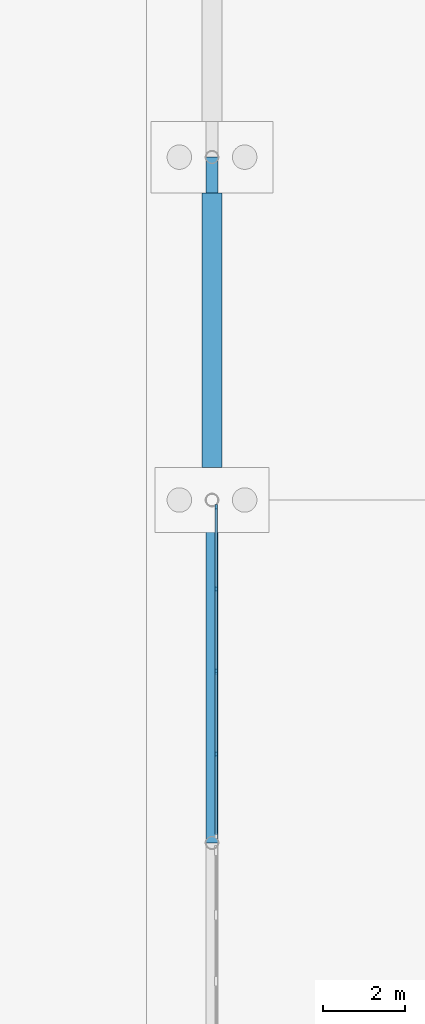
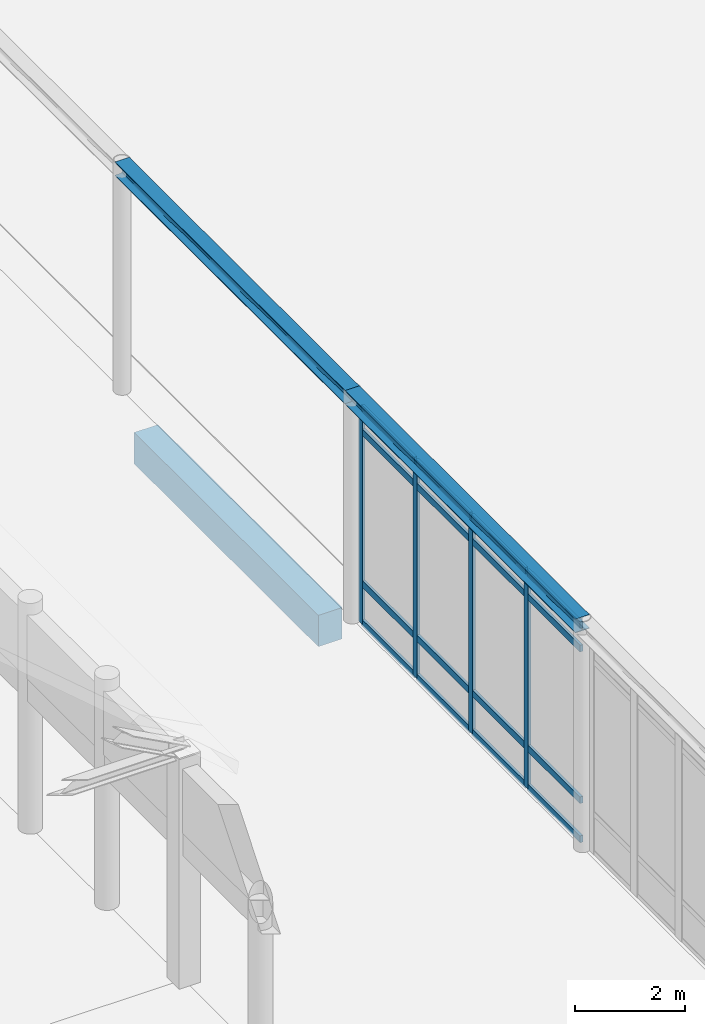
# One storey, part 32 of 143: 20 members, 3 beams, 1 element without a shape of its own.
"""IFC4 building model written with IfcOpenShell, lengths in metres."""

from ifc_helpers import new_model, si_unit, direction, frame, origin, origin_2d, place, context, subcontext, project, spatial, rectangle, i_section, extrude, material, layer, layer_set, material_profile, profile_set, type_object, element, aggregate, save


model = new_model("IFC4")

# Units and contexts
model_context = context("Model", 3, precision=1e-05, world=origin(), true_north=direction((0.0, 1.0)))
body_context = subcontext(model_context, "Body", "Model", "MODEL_VIEW")
ifc_project = project(units=[si_unit("LENGTHUNIT", "METRE"), si_unit("AREAUNIT", "SQUARE_METRE"), si_unit("VOLUMEUNIT", "CUBIC_METRE"), si_unit("PLANEANGLEUNIT", "RADIAN"), si_unit("MASSUNIT", "GRAM", prefix="KILO")], contexts=[model_context])

# Site, building, storey
site_placement = place(None, origin())
site = spatial("IfcSite", under=ifc_project, at=site_placement, CompositionType="ELEMENT")
building_placement = place(site_placement, origin())
building = spatial("IfcBuilding", under=site, at=building_placement, Name="Kveldsbrygga Polytechnic", CompositionType="ELEMENT")
storey_placement = place(building_placement, origin())
storey = spatial("IfcBuildingStorey", under=building, at=storey_placement, Name="L00", CompositionType="ELEMENT", Elevation=0.0)

# Beams
ifc_material_1 = material(Name="Steel S355", Category="steel")
ifc_material_profile_1 = material_profile(ifc_material_1, i_section(OverallWidth=0.300048828125, OverallDepth=0.31005859375, WebThickness=0.009033203125, FlangeThickness=0.015380859375, FilletRadius=0.027099609375, at=origin_2d()), Name="HEA 320")
ifc_profile_set_1 = profile_set([ifc_material_profile_1], Name="Steel S355")
beam_type_1 = type_object("IfcBeamType", Name="BM-STL-HEA320", PredefinedType="BEAM", material=ifc_profile_set_1)
beam_1_placement = place(storey_placement, frame((50.39990234375, 42.0, 4.985107421875), z_axis=(0.0, 1.0, 0.0), x_axis=(-1.0, 0.0, 0.0)))
element("IfcBeam", 1, at=beam_1_placement, inside=storey, type_object=beam_type_1, Name="Primary Beam BMY-L00-06-05to06", PredefinedType="BEAM", context=body_context, shape_type="SweptSolid", body=[
    extrude(i_section(OverallWidth=0.300048828125, OverallDepth=0.31005859375, WebThickness=0.009033203125, FlangeThickness=0.015380859375, FilletRadius=0.027099609375, at=origin_2d()), origin(), (0.0, 0.0, 1.0), 8.39990234375),
])
beam_2_placement = place(storey_placement, frame((50.39990234375, 50.39990234375, 4.985107421875), z_axis=(0.0, 1.0, 0.0), x_axis=(-1.0, 0.0, 0.0)))
element("IfcBeam", 2, at=beam_2_placement, inside=storey, type_object=beam_type_1, Name="Primary Beam BMY-L00-06-06to07", PredefinedType="BEAM", context=body_context, shape_type="SweptSolid", body=[
    extrude(i_section(OverallWidth=0.300048828125, OverallDepth=0.31005859375, WebThickness=0.009033203125, FlangeThickness=0.015380859375, FilletRadius=0.027099609375, at=origin_2d()), origin(), (0.0, 0.0, 1.0), 8.400146484375),
])
ifc_material_2 = material(Name="Concrete C35/45", Category="concrete")
ifc_material_profile_2 = material_profile(ifc_material_2, rectangle(XDim=0.5, YDim=0.699951171875, at=origin_2d()), Name="RC 500x700")
ifc_profile_set_2 = profile_set([ifc_material_profile_2], Name="Concrete C35/45")
beam_type_2 = type_object("IfcBeamType", Name="BM-TIE-500x700", PredefinedType="BEAM", material=ifc_profile_set_2)
beam_3_placement = place(storey_placement, frame((50.39990234375, 51.201904296875, -0.669921875), z_axis=(0.0, 1.0, 0.0), x_axis=(-1.0, 0.0, 0.0)))
element("IfcBeam", 3, at=beam_3_placement, inside=storey, type_object=beam_type_2, Name="Ground Tie Beam GB-L00-Y-06-06", PredefinedType="BEAM", context=body_context, shape_type="SweptSolid", body=[
    extrude(rectangle(XDim=0.5, YDim=0.699951171875, at=origin_2d()), origin(), (0.0, 0.0, 1.0), 6.72119140625),
])

# Curtain wall, members
ifc_material_3 = material(Name="Anodised aluminium AW-6060", Category="aluminium")
ifc_layer = layer(ifc_material_3, 0.199951171875)
ifc_layer_set = layer_set([ifc_layer], Name="Anodised aluminium AW-6060")
curtain_wall_type = type_object("IfcCurtainWallType", Name="CW-LANC-E", PredefinedType="USERDEFINED", material=ifc_layer_set)
curtain_wall_placement = place(storey_placement, origin())
curtain_wall = element("IfcCurtainWall", 4, at=curtain_wall_placement, inside=storey, type_object=curtain_wall_type, Name="Curtain Wall CW-L00-Y-06-05", ObjectType="UNITISED CURTAIN WALL", PredefinedType="USERDEFINED")
ifc_material_profile_3 = material_profile(ifc_material_3, rectangle(XDim=0.06005859375, YDim=0.139892578125, at=origin_2d()), Name="ALU 60x140")
ifc_profile_set_3 = profile_set([ifc_material_profile_3], Name="Anodised aluminium AW-6060")
member_type_1 = type_object("IfcMemberType", Name="CW-MUL-140", PredefinedType="MULLION", material=ifc_profile_set_3)
member_1_placement = place(storey_placement, frame((50.5, 44.173583984375, 0.0), z_axis=(0.0, 0.0, 1.0), x_axis=(-1.0, 0.0, 0.0)))
member_1 = element("IfcMember", 5, at=member_1_placement, type_object=member_type_1, Name="CW-05 mullion 2", PredefinedType="MULLION", context=body_context, shape_type="SweptSolid", body=[
    extrude(rectangle(XDim=0.06005859375, YDim=0.139892578125, at=origin_2d()), origin(), (0.0, 0.0, 1.0), 4.830078125),
])
member_2_placement = place(storey_placement, frame((50.5, 46.199951171875, 0.0), z_axis=(0.0, 0.0, 1.0), x_axis=(-1.0, 0.0, 0.0)))
member_2 = element("IfcMember", 6, at=member_2_placement, type_object=member_type_1, Name="CW-05 mullion 3", PredefinedType="MULLION", context=body_context, shape_type="SweptSolid", body=[
    extrude(rectangle(XDim=0.06005859375, YDim=0.139892578125, at=origin_2d()), origin(), (0.0, 0.0, 1.0), 4.830078125),
])
member_3_placement = place(storey_placement, frame((50.5, 48.2265625, 0.0), z_axis=(0.0, 0.0, 1.0), x_axis=(-1.0, 0.0, 0.0)))
member_3 = element("IfcMember", 7, at=member_3_placement, type_object=member_type_1, Name="CW-05 mullion 4", PredefinedType="MULLION", context=body_context, shape_type="SweptSolid", body=[
    extrude(rectangle(XDim=0.06005859375, YDim=0.139892578125, at=origin_2d()), origin(), (0.0, 0.0, 1.0), 4.830078125),
])
member_4_placement = place(storey_placement, frame((50.5, 50.22314453125, 0.0), z_axis=(0.0, 0.0, 1.0), x_axis=(-1.0, 0.0, 0.0)))
member_4 = element("IfcMember", 8, at=member_4_placement, type_object=member_type_1, Name="CW-05 mullion 5", PredefinedType="MULLION", context=body_context, shape_type="SweptSolid", body=[
    extrude(rectangle(XDim=0.06005859375, YDim=0.139892578125, at=origin_2d()), origin(), (0.0, 0.0, 1.0), 4.830078125),
])
ifc_material_profile_4 = material_profile(ifc_material_3, rectangle(XDim=0.06005859375, YDim=0.14990234375, at=origin_2d()), Name="ALU 60x150")
ifc_profile_set_4 = profile_set([ifc_material_profile_4], Name="Anodised aluminium AW-6060")
member_type_2 = type_object("IfcMemberType", Name="CW-TRN-150", PredefinedType="USERDEFINED", material=ifc_profile_set_4)
member_5_placement = place(storey_placement, frame((50.5, 42.20703125, 0.030029296875), z_axis=(0.0, 1.0, 0.0), x_axis=(-1.0, 0.0, 0.0)))
member_5 = element("IfcMember", 9, at=member_5_placement, type_object=member_type_2, Name="CW-05 transom 1.1", ObjectType="TRANSOM", PredefinedType="USERDEFINED", context=body_context, shape_type="SweptSolid", body=[
    extrude(rectangle(XDim=0.06005859375, YDim=0.14990234375, at=origin_2d()), origin(), (0.0, 0.0, 1.0), 1.9365234375),
])
member_6_placement = place(storey_placement, frame((50.5, 42.20703125, 0.89990234375), z_axis=(0.0, 1.0, 0.0), x_axis=(-1.0, 0.0, 0.0)))
member_6 = element("IfcMember", 10, at=member_6_placement, type_object=member_type_2, Name="CW-05 transom 1.2", ObjectType="TRANSOM", PredefinedType="USERDEFINED", context=body_context, shape_type="SweptSolid", body=[
    extrude(rectangle(XDim=0.06005859375, YDim=0.14990234375, at=origin_2d()), origin(), (0.0, 0.0, 1.0), 1.9365234375),
])
member_7_placement = place(storey_placement, frame((50.5, 42.20703125, 4.280029296875), z_axis=(0.0, 1.0, 0.0), x_axis=(-1.0, 0.0, 0.0)))
member_7 = element("IfcMember", 11, at=member_7_placement, type_object=member_type_2, Name="CW-05 transom 1.3", ObjectType="TRANSOM", PredefinedType="USERDEFINED", context=body_context, shape_type="SweptSolid", body=[
    extrude(rectangle(XDim=0.06005859375, YDim=0.14990234375, at=origin_2d()), origin(), (0.0, 0.0, 1.0), 1.9365234375),
])
member_8_placement = place(storey_placement, frame((50.5, 42.20703125, 4.800048828125), z_axis=(0.0, 1.0, 0.0), x_axis=(-1.0, 0.0, 0.0)))
member_8 = element("IfcMember", 12, at=member_8_placement, type_object=member_type_2, Name="CW-05 transom 1.4", ObjectType="TRANSOM", PredefinedType="USERDEFINED", context=body_context, shape_type="SweptSolid", body=[
    extrude(rectangle(XDim=0.06005859375, YDim=0.14990234375, at=origin_2d()), origin(), (0.0, 0.0, 1.0), 1.9365234375),
])
member_9_placement = place(storey_placement, frame((50.5, 44.203369140625, 0.030029296875), z_axis=(0.0, 1.0, 0.0), x_axis=(-1.0, 0.0, 0.0)))
member_9 = element("IfcMember", 13, at=member_9_placement, type_object=member_type_2, Name="CW-05 transom 2.1", ObjectType="TRANSOM", PredefinedType="USERDEFINED", context=body_context, shape_type="SweptSolid", body=[
    extrude(rectangle(XDim=0.06005859375, YDim=0.14990234375, at=origin_2d()), origin(), (0.0, 0.0, 1.0), 1.966552734375),
])
member_10_placement = place(storey_placement, frame((50.5, 44.203369140625, 0.89990234375), z_axis=(0.0, 1.0, 0.0), x_axis=(-1.0, 0.0, 0.0)))
member_10 = element("IfcMember", 14, at=member_10_placement, type_object=member_type_2, Name="CW-05 transom 2.2", ObjectType="TRANSOM", PredefinedType="USERDEFINED", context=body_context, shape_type="SweptSolid", body=[
    extrude(rectangle(XDim=0.06005859375, YDim=0.14990234375, at=origin_2d()), origin(), (0.0, 0.0, 1.0), 1.966552734375),
])
member_11_placement = place(storey_placement, frame((50.5, 44.203369140625, 4.280029296875), z_axis=(0.0, 1.0, 0.0), x_axis=(-1.0, 0.0, 0.0)))
member_11 = element("IfcMember", 15, at=member_11_placement, type_object=member_type_2, Name="CW-05 transom 2.3", ObjectType="TRANSOM", PredefinedType="USERDEFINED", context=body_context, shape_type="SweptSolid", body=[
    extrude(rectangle(XDim=0.06005859375, YDim=0.14990234375, at=origin_2d()), origin(), (0.0, 0.0, 1.0), 1.966552734375),
])
member_12_placement = place(storey_placement, frame((50.5, 44.203369140625, 4.800048828125), z_axis=(0.0, 1.0, 0.0), x_axis=(-1.0, 0.0, 0.0)))
member_12 = element("IfcMember", 16, at=member_12_placement, type_object=member_type_2, Name="CW-05 transom 2.4", ObjectType="TRANSOM", PredefinedType="USERDEFINED", context=body_context, shape_type="SweptSolid", body=[
    extrude(rectangle(XDim=0.06005859375, YDim=0.14990234375, at=origin_2d()), origin(), (0.0, 0.0, 1.0), 1.966552734375),
])
member_13_placement = place(storey_placement, frame((50.5, 46.22998046875, 0.030029296875), z_axis=(0.0, 1.0, 0.0), x_axis=(-1.0, 0.0, 0.0)))
member_13 = element("IfcMember", 17, at=member_13_placement, type_object=member_type_2, Name="CW-05 transom 3.1", ObjectType="TRANSOM", PredefinedType="USERDEFINED", context=body_context, shape_type="SweptSolid", body=[
    extrude(rectangle(XDim=0.06005859375, YDim=0.14990234375, at=origin_2d()), origin(), (0.0, 0.0, 1.0), 1.966552734375),
])
member_14_placement = place(storey_placement, frame((50.5, 46.22998046875, 0.89990234375), z_axis=(0.0, 1.0, 0.0), x_axis=(-1.0, 0.0, 0.0)))
member_14 = element("IfcMember", 18, at=member_14_placement, type_object=member_type_2, Name="CW-05 transom 3.2", ObjectType="TRANSOM", PredefinedType="USERDEFINED", context=body_context, shape_type="SweptSolid", body=[
    extrude(rectangle(XDim=0.06005859375, YDim=0.14990234375, at=origin_2d()), origin(), (0.0, 0.0, 1.0), 1.966552734375),
])
member_15_placement = place(storey_placement, frame((50.5, 46.22998046875, 4.280029296875), z_axis=(0.0, 1.0, 0.0), x_axis=(-1.0, 0.0, 0.0)))
member_15 = element("IfcMember", 19, at=member_15_placement, type_object=member_type_2, Name="CW-05 transom 3.3", ObjectType="TRANSOM", PredefinedType="USERDEFINED", context=body_context, shape_type="SweptSolid", body=[
    extrude(rectangle(XDim=0.06005859375, YDim=0.14990234375, at=origin_2d()), origin(), (0.0, 0.0, 1.0), 1.966552734375),
])
member_16_placement = place(storey_placement, frame((50.5, 46.22998046875, 4.800048828125), z_axis=(0.0, 1.0, 0.0), x_axis=(-1.0, 0.0, 0.0)))
member_16 = element("IfcMember", 20, at=member_16_placement, type_object=member_type_2, Name="CW-05 transom 3.4", ObjectType="TRANSOM", PredefinedType="USERDEFINED", context=body_context, shape_type="SweptSolid", body=[
    extrude(rectangle(XDim=0.06005859375, YDim=0.14990234375, at=origin_2d()), origin(), (0.0, 0.0, 1.0), 1.966552734375),
])
member_17_placement = place(storey_placement, frame((50.5, 48.256591796875, 0.030029296875), z_axis=(0.0, 1.0, 0.0), x_axis=(-1.0, 0.0, 0.0)))
member_17 = element("IfcMember", 21, at=member_17_placement, type_object=member_type_2, Name="CW-05 transom 4.1", ObjectType="TRANSOM", PredefinedType="USERDEFINED", context=body_context, shape_type="SweptSolid", body=[
    extrude(rectangle(XDim=0.06005859375, YDim=0.14990234375, at=origin_2d()), origin(), (0.0, 0.0, 1.0), 1.9365234375),
])
member_18_placement = place(storey_placement, frame((50.5, 48.256591796875, 0.89990234375), z_axis=(0.0, 1.0, 0.0), x_axis=(-1.0, 0.0, 0.0)))
member_18 = element("IfcMember", 22, at=member_18_placement, type_object=member_type_2, Name="CW-05 transom 4.2", ObjectType="TRANSOM", PredefinedType="USERDEFINED", context=body_context, shape_type="SweptSolid", body=[
    extrude(rectangle(XDim=0.06005859375, YDim=0.14990234375, at=origin_2d()), origin(), (0.0, 0.0, 1.0), 1.9365234375),
])
member_19_placement = place(storey_placement, frame((50.5, 48.256591796875, 4.280029296875), z_axis=(0.0, 1.0, 0.0), x_axis=(-1.0, 0.0, 0.0)))
member_19 = element("IfcMember", 23, at=member_19_placement, type_object=member_type_2, Name="CW-05 transom 4.3", ObjectType="TRANSOM", PredefinedType="USERDEFINED", context=body_context, shape_type="SweptSolid", body=[
    extrude(rectangle(XDim=0.06005859375, YDim=0.14990234375, at=origin_2d()), origin(), (0.0, 0.0, 1.0), 1.9365234375),
])
member_20_placement = place(storey_placement, frame((50.5, 48.256591796875, 4.800048828125), z_axis=(0.0, 1.0, 0.0), x_axis=(-1.0, 0.0, 0.0)))
member_20 = element("IfcMember", 24, at=member_20_placement, type_object=member_type_2, Name="CW-05 transom 4.4", ObjectType="TRANSOM", PredefinedType="USERDEFINED", context=body_context, shape_type="SweptSolid", body=[
    extrude(rectangle(XDim=0.06005859375, YDim=0.14990234375, at=origin_2d()), origin(), (0.0, 0.0, 1.0), 1.9365234375),
])
aggregate(curtain_wall, [member_1, member_2, member_3, member_4, member_5, member_6, member_7, member_8, member_9, member_10, member_11, member_12, member_13, member_14, member_15, member_16, member_17, member_18, member_19, member_20])

save(model, "model.ifc")
